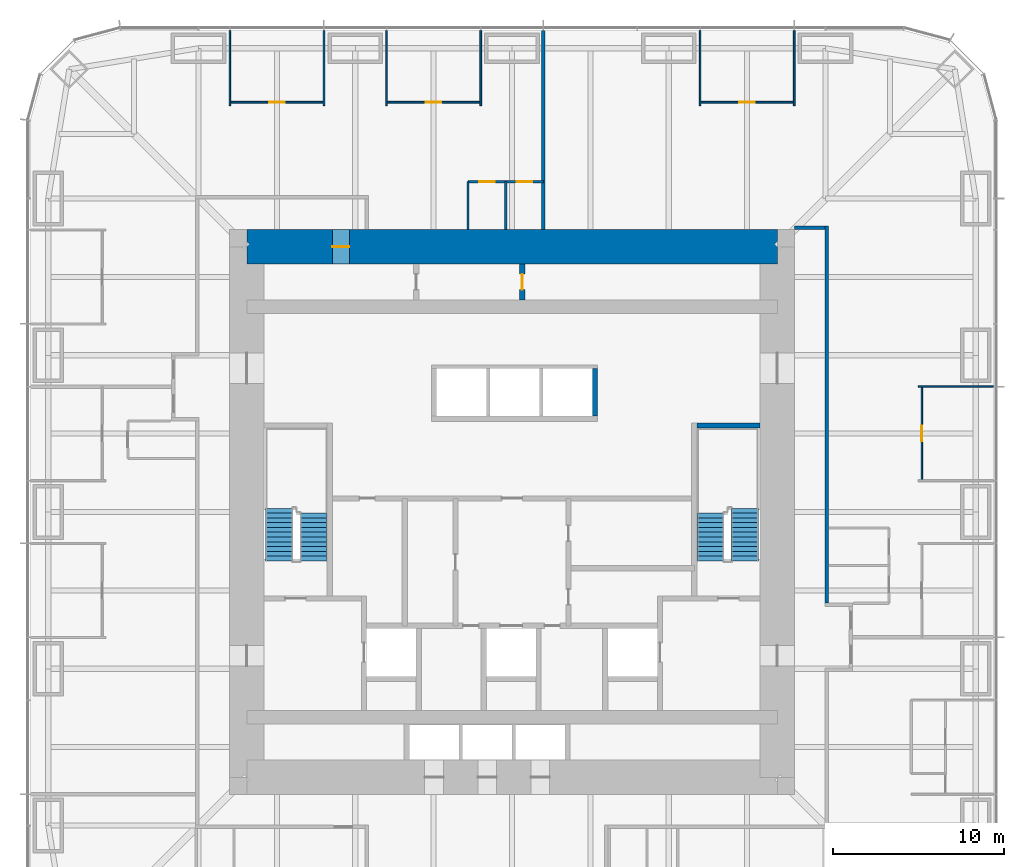
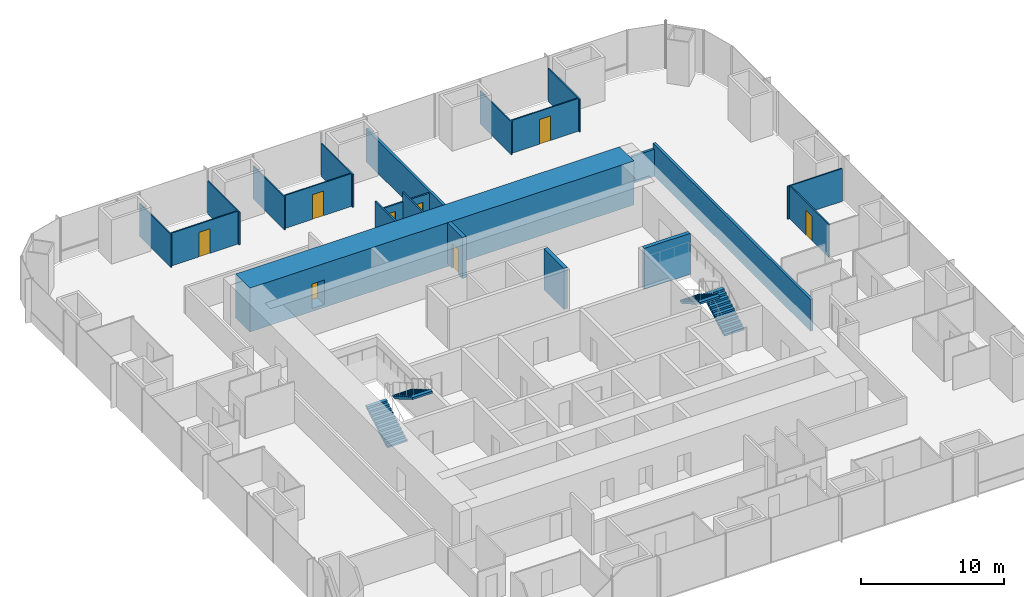
# One storey, part 10 of 11: 21 walls, 8 doors, 4 stair flights, 8 openings, 2 elements without a shape of their own.
"""IFC4 building model written with IfcOpenShell, lengths in metres."""

from ifc_helpers import new_model, si_unit, direction, frame, frame_2d, origin, place, context, subcontext, project, spatial, polyline, rectangle, outline, extrude, material, layer, layer_set, type_object, element, fill, aggregate, save


model = new_model("IFC4")

# Units and contexts
model_context = context("Model", 3, precision=1e-05, world=origin(), true_north=direction((0.0, 1.0)))
body_context = subcontext(model_context, "Body", "Model", "MODEL_VIEW")
ifc_project = project(units=[si_unit("LENGTHUNIT", "METRE"), si_unit("AREAUNIT", "SQUARE_METRE"), si_unit("VOLUMEUNIT", "CUBIC_METRE"), si_unit("PLANEANGLEUNIT", "RADIAN"), si_unit("MASSUNIT", "GRAM", prefix="KILO")], contexts=[model_context])

# Site, building, storey
site_placement = place(None, origin())
site = spatial("IfcSite", under=ifc_project, at=site_placement, CompositionType="ELEMENT")
building_placement = place(site_placement, origin())
building = spatial("IfcBuilding", under=site, at=building_placement, Name="Khuree Lantern Residences", CompositionType="ELEMENT")
storey_placement = place(building_placement, frame((0.0, 0.0, 174.75)))
storey = spatial("IfcBuildingStorey", under=building, at=storey_placement, Name="L44", CompositionType="ELEMENT", Elevation=174.75)

# Wall, openings, doors
ifc_material_1 = material(Name="Moisture-resistant gypsum board on steel studs", Category="steel")
ifc_layer_1 = layer(ifc_material_1, 0.125)
ifc_layer_set_1 = layer_set([ifc_layer_1], Name="BATHROOM WALL BTW125")
wall_type_1 = type_object("IfcWallType", Name="BATHROOM WALL BTW125", PredefinedType="PARTITIONING", material=ifc_layer_set_1)
wall_1_placement = place(storey_placement, frame((1.83203125, 19.300048828125, 0.0), z_axis=(0.0, 0.0, 1.0), x_axis=(-1.0, 0.0, 0.0)))
wall_1 = element("IfcWall", 1, at=wall_1_placement, inside=storey, type_object=wall_type_1, Name="L44 BATHROOM WALL 02", PredefinedType="PARTITIONING", context=body_context, shape_type="SweptSolid", body=[
    extrude(rectangle(XDim=4.400146484375, YDim=0.125, at=frame_2d((2.2001953125, 0.0))), origin(), (0.0, 0.0, 1.0), 2.699951171875),
])
opening_1_placement = place(wall_1_placement, frame((0.64990234375, 0.0, 0.0)))
opening_1 = element("IfcOpeningElement", 2, at=opening_1_placement, cuts=wall_1, Name="Opening 44-032", PredefinedType="OPENING", context=body_context, shape_type="SweptSolid", body=[
    extrude(rectangle(XDim=0.89990234375, YDim=2.10009765625, at=frame_2d((0.449951171875, 1.050048828125))), frame((0.0, 0.072509765625, 0.0), z_axis=(0.0, -1.0, 0.0), x_axis=(1.0, 0.0, 0.0)), (0.0, 0.0, 1.0), 0.14501953125),
])
opening_2_placement = place(wall_1_placement, frame((2.85009765625, 0.0, 0.0)))
opening_2 = element("IfcOpeningElement", 3, at=opening_2_placement, cuts=wall_1, Name="Opening 44-033", PredefinedType="OPENING", context=body_context, shape_type="SweptSolid", body=[
    extrude(rectangle(XDim=0.89990234375, YDim=2.10009765625, at=frame_2d((0.449951171875, 1.050048828125))), frame((0.0, 0.072509765625, 0.0), z_axis=(0.0, -1.0, 0.0), x_axis=(1.0, 0.0, 0.0)), (0.0, 0.0, 1.0), 0.14501953125),
])
ifc_material_2 = material(Name="Timber door leaf in hardwood frame", Category="wood")
door_type_1 = type_object("IfcDoorType", Name="BATHROOM DOOR 900X2100", OperationType="SINGLE_SWING_LEFT", PredefinedType="DOOR", material=ifc_material_2)
door_1_placement = place(opening_1_placement, origin())
door_1 = element("IfcDoor", 4, at=door_1_placement, inside=storey, type_object=door_type_1, Name="Bathroom door 44-032", OperationType="SINGLE_SWING_LEFT", OverallHeight=2.10009765625, OverallWidth=0.89990234375, PredefinedType="DOOR", context=body_context, shape_type="SweptSolid", body=[
    extrude(rectangle(XDim=0.89990234375, YDim=2.10009765625, at=frame_2d((0.449951171875, 1.050048828125))), frame((0.0, 0.02490234375, 0.0), z_axis=(0.0, -1.0, 0.0), x_axis=(1.0, 0.0, 0.0)), (0.0, 0.0, 1.0), 0.050048828125),
])
fill(opening_1, door_1)
door_2_placement = place(opening_2_placement, origin())
door_2 = element("IfcDoor", 5, at=door_2_placement, inside=storey, type_object=door_type_1, Name="Bathroom door 44-033", OperationType="SINGLE_SWING_LEFT", OverallHeight=2.10009765625, OverallWidth=0.89990234375, PredefinedType="DOOR", context=body_context, shape_type="SweptSolid", body=[
    extrude(rectangle(XDim=0.89990234375, YDim=2.10009765625, at=frame_2d((0.449951171875, 1.050048828125))), frame((0.0, 0.02490234375, 0.0), z_axis=(0.0, -1.0, 0.0), x_axis=(1.0, 0.0, 0.0)), (0.0, 0.0, 1.0), 0.050048828125),
])
fill(opening_2, door_2)

# Walls
for number, where, z_axis, x_axis, name in (
    (6, (-0.367919921875, 16.5, 0.0), (0.0, 0.0, 1.0), (0.0, 1.0, 0.0), "L44 BATHROOM WALL 02"),
    (7, (-2.568115234375, 16.5, 0.0), (0.0, 0.0, 1.0), (0.0, 1.0, 0.0), "L44 BATHROOM WALL 02"),
):
    element("IfcWall", number, at=place(storey_placement, frame(where, z_axis=z_axis, x_axis=x_axis)), inside=storey, type_object=wall_type_1, Name=name, PredefinedType="PARTITIONING", context=body_context, shape_type="SweptSolid", body=[
        extrude(rectangle(XDim=2.800048828125, YDim=0.125, at=frame_2d((1.39990234375, 0.0))), origin(), (0.0, 0.0, 1.0), 3.5),
    ])
ifc_material_3 = material(Name="Dense concrete blockwork", Category="masonry")
ifc_layer_2 = layer(ifc_material_3, 0.300048828125)
ifc_layer_set_2 = layer_set([ifc_layer_2], Name="CORE PARTITION WALL CPW300 EI 120")
wall_type_2 = type_object("IfcWallType", Name="CORE PARTITION WALL CPW300 EI 120", PredefinedType="PARTITIONING", material=ifc_layer_set_2)
wall_2_placement = place(storey_placement, frame((4.85009765625, 5.60009765625, 0.0), z_axis=(0.0, 0.0, 1.0), x_axis=(0.0, 1.0, 0.0)))
element("IfcWall", 8, at=wall_2_placement, inside=storey, type_object=wall_type_2, Name="L44 CORE WALL PHE", PredefinedType="PARTITIONING", context=body_context, shape_type="SweptSolid", body=[
    extrude(rectangle(XDim=2.7998046875, YDim=0.300048828125, at=frame_2d((1.39990234375, 0.0))), origin(), (0.0, 0.0, 1.0), 3.5),
])

# Wall, opening, door
wall_3_placement = place(storey_placement, frame((0.60009765625, 12.39990234375, 0.0), z_axis=(0.0, 0.0, 1.0), x_axis=(0.0, 1.0, 0.0)))
wall_3 = element("IfcWall", 9, at=wall_3_placement, inside=storey, type_object=wall_type_2, Name="L44 CORE WALL PLY", PredefinedType="PARTITIONING", context=body_context, shape_type="SweptSolid", body=[
    extrude(rectangle(XDim=2.10009765625, YDim=0.300048828125, at=frame_2d((1.050048828125, 0.0))), origin(), (0.0, 0.0, 1.0), 3.5),
])
opening_3_placement = place(wall_3_placement, frame((0.60009765625, 0.0, 0.0)))
opening_3 = element("IfcOpeningElement", 10, at=opening_3_placement, cuts=wall_3, Name="Opening 44-021", PredefinedType="OPENING", context=body_context, shape_type="SweptSolid", body=[
    extrude(rectangle(XDim=0.89990234375, YDim=2.10009765625, at=frame_2d((0.449951171875, 1.050048828125))), frame((0.0, 0.16015625, 0.0), z_axis=(0.0, -1.0, 0.0), x_axis=(1.0, 0.0, 0.0)), (0.0, 0.0, 1.0), 0.320068359375),
])
door_type_2 = type_object("IfcDoorType", Name="DOOR 900X2100", OperationType="SINGLE_SWING_LEFT", PredefinedType="DOOR", material=ifc_material_2)
door_3_placement = place(opening_3_placement, origin())
door_3 = element("IfcDoor", 11, at=door_3_placement, inside=storey, type_object=door_type_2, Name="Cleaner's store door 44-021", OperationType="SINGLE_SWING_LEFT", OverallHeight=2.10009765625, OverallWidth=0.89990234375, PredefinedType="DOOR", context=body_context, shape_type="SweptSolid", body=[
    extrude(rectangle(XDim=0.89990234375, YDim=2.10009765625, at=frame_2d((0.449951171875, 1.050048828125))), frame((0.0, 0.02490234375, 0.0), z_axis=(0.0, -1.0, 0.0), x_axis=(1.0, 0.0, 0.0)), (0.0, 0.0, 1.0), 0.050048828125),
])
fill(opening_3, door_3)

# Walls
ifc_material_4 = material(Name="Gypsum board on steel studs", Category="steel")
ifc_layer_3 = layer(ifc_material_4, 0.199951171875)
ifc_layer_set_3 = layer_set([ifc_layer_3], Name="CORRIDOR WALL CRW200 EI 60")
wall_type_3 = type_object("IfcWallType", Name="CORRIDOR WALL CRW200 EI 60", PredefinedType="PARTITIONING", material=ifc_layer_set_3)
wall_4_placement = place(storey_placement, frame((16.5, 16.60009765625, 0.0), z_axis=(0.0, 0.0, 1.0), x_axis=(1.0, 0.0, 0.0)))
element("IfcWall", 12, at=wall_4_placement, inside=storey, type_object=wall_type_3, Name="L44 EAST CORRIDOR NORTH END WALL", PredefinedType="PARTITIONING", context=body_context, shape_type="SweptSolid", body=[
    extrude(rectangle(XDim=1.800048828125, YDim=0.199951171875, at=frame_2d((0.89990234375, 0.0))), origin(), (0.0, 0.0, 1.0), 2.300048828125),
])
wall_5_placement = place(storey_placement, frame((18.39990234375, -5.327880859375, 0.0), z_axis=(0.0, 0.0, 1.0), x_axis=(0.0, 1.0, 0.0)))
element("IfcWall", 13, at=wall_5_placement, inside=storey, type_object=wall_type_3, Name="L44 CORRIDOR WALL EAST 2", PredefinedType="PARTITIONING", context=body_context, shape_type="SweptSolid", body=[
    extrude(rectangle(XDim=22.02783203125, YDim=0.199951171875, at=frame_2d((11.013916015625, 0.0))), origin(), (0.0, 0.0, 1.0), 2.699951171875),
])

# Wall, opening, door
ifc_material_5 = material(Name="Concrete C70/85", Category="concrete")
ifc_layer_4 = layer(ifc_material_5, 2.0)
ifc_layer_set_4 = layer_set([ifc_layer_4], Name="CW2000-C70 CORE WALL C70 2000")
wall_type_4 = type_object("IfcWallType", Name="CW2000-C70 CORE WALL C70 2000", PredefinedType="SHEAR", material=ifc_layer_set_4)
wall_6_placement = place(storey_placement, frame((-15.5, 15.5, -0.25), z_axis=(0.0, 0.0, 1.0), x_axis=(1.0, 0.0, 0.0)))
wall_6 = element("IfcWall", 14, at=wall_6_placement, inside=storey, type_object=wall_type_4, Name="Core wall N", PredefinedType="SHEAR", context=body_context, shape_type="SweptSolid", body=[
    extrude(rectangle(XDim=31.0, YDim=2.0, at=frame_2d((15.5, 0.0))), origin(), (0.0, 0.0, 1.0), 3.75),
])
opening_4_placement = place(wall_6_placement, frame((5.0, 0.0, 0.25)))
opening_4 = element("IfcOpeningElement", 15, at=opening_4_placement, cuts=wall_6, Name="Opening 44-022", PredefinedType="OPENING", context=body_context, shape_type="SweptSolid", body=[
    extrude(rectangle(XDim=1.0, YDim=2.10009765625, at=frame_2d((0.5, 1.050048828125))), frame((0.0, 1.010009765625, 0.0), z_axis=(0.0, -1.0, 0.0), x_axis=(1.0, 0.0, 0.0)), (0.0, 0.0, 1.0), 2.02001953125),
])
ifc_material_6 = material(Name="Steel door leaf in steel frame", Category="steel")
door_type_3 = type_object("IfcDoorType", Name="DOOR 1000X2100 EI 60 RIGHT HAND", OperationType="SINGLE_SWING_RIGHT", PredefinedType="DOOR", material=ifc_material_6)
door_4_placement = place(opening_4_placement, origin())
door_4 = element("IfcDoor", 16, at=door_4_placement, inside=storey, type_object=door_type_3, Name="Residents' store door 44-022", OperationType="SINGLE_SWING_RIGHT", OverallHeight=2.10009765625, OverallWidth=1.0, PredefinedType="DOOR", context=body_context, shape_type="SweptSolid", body=[
    extrude(rectangle(XDim=1.0, YDim=2.10009765625, at=frame_2d((0.5, 1.050048828125))), frame((0.0, 0.02490234375, 0.0), z_axis=(0.0, -1.0, 0.0), x_axis=(1.0, 0.0, 0.0)), (0.0, 0.0, 1.0), 0.050048828125),
])
fill(opening_4, door_4)

# Walls
ifc_layer_5 = layer(ifc_material_4, 0.199951171875)
ifc_layer_set_5 = layer_set([ifc_layer_5], Name="DEMISING WALL DMW200 EI 90")
wall_type_5 = type_object("IfcWallType", Name="DEMISING WALL DMW200 EI 90", PredefinedType="PARTITIONING", material=ifc_layer_set_5)
wall_7_placement = place(storey_placement, frame((1.83203125, 16.5, 0.0), z_axis=(0.0, 0.0, 1.0), x_axis=(0.0, 1.0, 0.0)))
element("IfcWall", 17, at=wall_7_placement, inside=storey, type_object=wall_type_5, Name="L44 DEMISING WALL 02", PredefinedType="PARTITIONING", context=body_context, shape_type="SweptSolid", body=[
    extrude(rectangle(XDim=11.64990234375, YDim=0.199951171875, at=frame_2d((5.824951171875, 0.0))), origin(), (0.0, 0.0, 1.0), 2.81005859375),
])
ifc_layer_6 = layer(ifc_material_4, 0.10009765625)
ifc_layer_set_6 = layer_set([ifc_layer_6], Name="PARTITION PT100")
wall_type_6 = type_object("IfcWallType", Name="PARTITION PT100", PredefinedType="PARTITIONING", material=ifc_layer_set_6)
for number, where, z_axis, x_axis, name in (
    (18, (23.75, 7.327880859375, 0.0), (0.0, 0.0, 1.0), (1.0, 0.0, 0.0), "L44 PARTITION 01"),
    (19, (16.488037109375, 23.75, 0.0), (0.0, 0.0, 1.0), (0.0, 1.0, 0.0), "L44 PARTITION 01"),
    (20, (10.991943359375, 23.75, 0.0), (0.0, 0.0, 1.0), (0.0, 1.0, 0.0), "L44 PARTITION 01"),
    (21, (-1.83203125, 23.75, 0.0), (0.0, 0.0, 1.0), (0.0, 1.0, 0.0), "L44 PARTITION 02"),
    (22, (-7.327880859375, 23.75, 0.0), (0.0, 0.0, 1.0), (0.0, 1.0, 0.0), "L44 PARTITION 02"),
    (23, (-10.991943359375, 23.75, 0.0), (0.0, 0.0, 1.0), (0.0, 1.0, 0.0), "L44 PARTITION 02"),
    (24, (-16.488037109375, 23.75, 0.0), (0.0, 0.0, 1.0), (0.0, 1.0, 0.0), "L44 PARTITION 02"),
):
    element("IfcWall", number, at=place(storey_placement, frame(where, z_axis=z_axis, x_axis=x_axis)), inside=storey, type_object=wall_type_6, Name=name, PredefinedType="PARTITIONING", context=body_context, shape_type="SweptSolid", body=[
        extrude(rectangle(XDim=4.39990234375, YDim=0.10009765625, at=frame_2d((2.199951171875, 0.0))), origin(), (0.0, 0.0, 1.0), 2.81005859375),
    ])

# Wall, opening, door
wall_8_placement = place(storey_placement, frame((23.949951171875, 1.83203125, 0.0), z_axis=(0.0, 0.0, 1.0), x_axis=(0.0, 1.0, 0.0)))
wall_8 = element("IfcWall", 25, at=wall_8_placement, inside=storey, type_object=wall_type_6, Name="L44 PARTITION 01", PredefinedType="PARTITIONING", context=body_context, shape_type="SweptSolid", body=[
    extrude(rectangle(XDim=5.495849609375, YDim=0.10009765625, at=frame_2d((2.748046875, 0.0))), origin(), (0.0, 0.0, 1.0), 2.81005859375),
])
opening_5_placement = place(wall_8_placement, frame((2.298095703125, 0.0, 0.0)))
opening_5 = element("IfcOpeningElement", 26, at=opening_5_placement, cuts=wall_8, Name="Opening 44-024", PredefinedType="OPENING", context=body_context, shape_type="SweptSolid", body=[
    extrude(rectangle(XDim=0.89990234375, YDim=2.10009765625, at=frame_2d((0.449951171875, 1.050048828125))), frame((0.0, 0.06005859375, 0.0), z_axis=(0.0, -1.0, 0.0), x_axis=(1.0, 0.0, 0.0)), (0.0, 0.0, 1.0), 0.1201171875),
])
door_type_4 = type_object("IfcDoorType", Name="BEDROOM DOOR 900X2100", OperationType="SINGLE_SWING_LEFT", PredefinedType="DOOR", material=ifc_material_2)
door_5_placement = place(opening_5_placement, origin())
door_5 = element("IfcDoor", 27, at=door_5_placement, inside=storey, type_object=door_type_4, Name="Bedroom door 44-024", OperationType="SINGLE_SWING_LEFT", OverallHeight=2.10009765625, OverallWidth=0.89990234375, PredefinedType="DOOR", context=body_context, shape_type="SweptSolid", body=[
    extrude(rectangle(XDim=0.89990234375, YDim=2.10009765625, at=frame_2d((0.449951171875, 1.050048828125))), frame((0.0, 0.02490234375, 0.0), z_axis=(0.0, -1.0, 0.0), x_axis=(1.0, 0.0, 0.0)), (0.0, 0.0, 1.0), 0.050048828125),
])
fill(opening_5, door_5)

wall_9_placement = place(storey_placement, frame((16.488037109375, 23.949951171875, 0.0), z_axis=(0.0, 0.0, 1.0), x_axis=(-1.0, 0.0, 0.0)))
wall_9 = element("IfcWall", 28, at=wall_9_placement, inside=storey, type_object=wall_type_6, Name="L44 PARTITION 01", PredefinedType="PARTITIONING", context=body_context, shape_type="SweptSolid", body=[
    extrude(rectangle(XDim=5.49609375, YDim=0.10009765625, at=frame_2d((2.748046875, 0.0))), origin(), (0.0, 0.0, 1.0), 2.81005859375),
])
opening_6_placement = place(wall_9_placement, frame((2.298095703125, 0.0, 0.0)))
opening_6 = element("IfcOpeningElement", 29, at=opening_6_placement, cuts=wall_9, Name="Opening 44-025", PredefinedType="OPENING", context=body_context, shape_type="SweptSolid", body=[
    extrude(rectangle(XDim=0.89990234375, YDim=2.10009765625, at=frame_2d((0.449951171875, 1.050048828125))), frame((0.0, 0.06005859375, 0.0), z_axis=(0.0, -1.0, 0.0), x_axis=(1.0, 0.0, 0.0)), (0.0, 0.0, 1.0), 0.1201171875),
])
door_6_placement = place(opening_6_placement, origin())
door_6 = element("IfcDoor", 30, at=door_6_placement, inside=storey, type_object=door_type_4, Name="Bedroom door 44-025", OperationType="SINGLE_SWING_LEFT", OverallHeight=2.10009765625, OverallWidth=0.89990234375, PredefinedType="DOOR", context=body_context, shape_type="SweptSolid", body=[
    extrude(rectangle(XDim=0.89990234375, YDim=2.10009765625, at=frame_2d((0.449951171875, 1.050048828125))), frame((0.0, 0.02490234375, 0.0), z_axis=(0.0, -1.0, 0.0), x_axis=(1.0, 0.0, 0.0)), (0.0, 0.0, 1.0), 0.050048828125),
])
fill(opening_6, door_6)

wall_10_placement = place(storey_placement, frame((-1.83203125, 23.949951171875, 0.0), z_axis=(0.0, 0.0, 1.0), x_axis=(-1.0, 0.0, 0.0)))
wall_10 = element("IfcWall", 31, at=wall_10_placement, inside=storey, type_object=wall_type_6, Name="L44 PARTITION 02", PredefinedType="PARTITIONING", context=body_context, shape_type="SweptSolid", body=[
    extrude(rectangle(XDim=5.495849609375, YDim=0.10009765625, at=frame_2d((2.748046875, 0.0))), origin(), (0.0, 0.0, 1.0), 2.81005859375),
])
opening_7_placement = place(wall_10_placement, frame((2.298095703125, 0.0, 0.0)))
opening_7 = element("IfcOpeningElement", 32, at=opening_7_placement, cuts=wall_10, Name="Opening 44-029", PredefinedType="OPENING", context=body_context, shape_type="SweptSolid", body=[
    extrude(rectangle(XDim=0.89990234375, YDim=2.10009765625, at=frame_2d((0.449951171875, 1.050048828125))), frame((0.0, 0.06005859375, 0.0), z_axis=(0.0, -1.0, 0.0), x_axis=(1.0, 0.0, 0.0)), (0.0, 0.0, 1.0), 0.1201171875),
])
door_7_placement = place(opening_7_placement, origin())
door_7 = element("IfcDoor", 33, at=door_7_placement, inside=storey, type_object=door_type_4, Name="Bedroom door 44-029", OperationType="SINGLE_SWING_LEFT", OverallHeight=2.10009765625, OverallWidth=0.89990234375, PredefinedType="DOOR", context=body_context, shape_type="SweptSolid", body=[
    extrude(rectangle(XDim=0.89990234375, YDim=2.10009765625, at=frame_2d((0.449951171875, 1.050048828125))), frame((0.0, 0.02490234375, 0.0), z_axis=(0.0, -1.0, 0.0), x_axis=(1.0, 0.0, 0.0)), (0.0, 0.0, 1.0), 0.050048828125),
])
fill(opening_7, door_7)

wall_11_placement = place(storey_placement, frame((-10.991943359375, 23.949951171875, 0.0), z_axis=(0.0, 0.0, 1.0), x_axis=(-1.0, 0.0, 0.0)))
wall_11 = element("IfcWall", 34, at=wall_11_placement, inside=storey, type_object=wall_type_6, Name="L44 PARTITION 02", PredefinedType="PARTITIONING", context=body_context, shape_type="SweptSolid", body=[
    extrude(rectangle(XDim=5.49609375, YDim=0.10009765625, at=frame_2d((2.748046875, 0.0))), origin(), (0.0, 0.0, 1.0), 2.81005859375),
])
opening_8_placement = place(wall_11_placement, frame((2.298095703125, 0.0, 0.0)))
opening_8 = element("IfcOpeningElement", 35, at=opening_8_placement, cuts=wall_11, Name="Opening 44-030", PredefinedType="OPENING", context=body_context, shape_type="SweptSolid", body=[
    extrude(rectangle(XDim=0.89990234375, YDim=2.10009765625, at=frame_2d((0.449951171875, 1.050048828125))), frame((0.0, 0.06005859375, 0.0), z_axis=(0.0, -1.0, 0.0), x_axis=(1.0, 0.0, 0.0)), (0.0, 0.0, 1.0), 0.1201171875),
])
door_8_placement = place(opening_8_placement, origin())
door_8 = element("IfcDoor", 36, at=door_8_placement, inside=storey, type_object=door_type_4, Name="Bedroom door 44-030", OperationType="SINGLE_SWING_LEFT", OverallHeight=2.10009765625, OverallWidth=0.89990234375, PredefinedType="DOOR", context=body_context, shape_type="SweptSolid", body=[
    extrude(rectangle(XDim=0.89990234375, YDim=2.10009765625, at=frame_2d((0.449951171875, 1.050048828125))), frame((0.0, 0.02490234375, 0.0), z_axis=(0.0, -1.0, 0.0), x_axis=(1.0, 0.0, 0.0)), (0.0, 0.0, 1.0), 0.050048828125),
])
fill(opening_8, door_8)

# Wall
ifc_material_7 = material(Name="Concrete C50/60", Category="concrete")
ifc_layer_7 = layer(ifc_material_7, 0.300048828125)
ifc_layer_set_7 = layer_set([ifc_layer_7], Name="STAIR WALL SRW300 C50/60 REI 240")
wall_type_7 = type_object("IfcWallType", Name="STAIR WALL SRW300 C50/60 REI 240", PredefinedType="SOLIDWALL", material=ifc_layer_set_7)
wall_12_placement = place(storey_placement, frame((14.5, 5.050048828125, 0.0), z_axis=(0.0, 0.0, 1.0), x_axis=(-1.0, 0.0, 0.0)))
element("IfcWall", 37, at=wall_12_placement, inside=storey, type_object=wall_type_7, Name="L44 STAIR WALL ST2N", PredefinedType="SOLIDWALL", context=body_context, shape_type="SweptSolid", body=[
    extrude(rectangle(XDim=3.699951171875, YDim=0.300048828125, at=frame_2d((1.85009765625, 0.0))), origin(), (0.0, 0.0, 1.0), 3.5),
])

# Stair, stair flights
ifc_material_8 = material(Name="Concrete C40/50", Category="concrete")
stair_type = type_object("IfcStairType", Name="STAIR ST1 HALF TURN 3600", PredefinedType="HALF_TURN_STAIR", material=ifc_material_8)
stair_1_placement = place(storey_placement, origin())
stair_1 = element("IfcStair", 38, at=stair_1_placement, inside=storey, type_object=stair_type, Name="Stair ST1", PredefinedType="HALF_TURN_STAIR")
stair_flight_type = type_object("IfcStairFlightType", Name="STAIR FLIGHT SF1 1600", PredefinedType="STRAIGHT", material=ifc_material_8)
stair_flight_1_placement = place(storey_placement, frame((-13.60009765625, -2.860107421875, 0.0), z_axis=(0.0, 0.0, 1.0), x_axis=(0.0, 1.0, 0.0)))
stair_flight_1 = element("IfcStairFlight", 39, at=stair_flight_1_placement, type_object=stair_flight_type, Name="ST1 flight 1", NumberOfRisers=12, NumberOfTreads=11, PredefinedType="STRAIGHT", RiserHeight=0.163043478, TreadLength=0.28, context=body_context, shape_type="SweptSolid", body=[
    extrude(outline(polyline([(0.0, 0.0), (0.0, 0.1630859375), (0.280029296875, 0.1630859375), (0.280029296875, 0.326171875), (0.56005859375, 0.326171875), (0.56005859375, 0.489013671875), (0.840087890625, 0.489013671875), (0.840087890625, 0.652099609375), (1.1201171875, 0.652099609375), (1.1201171875, 0.815185546875), (1.39990234375, 0.815185546875), (1.39990234375, 0.978271484375), (1.679931640625, 0.978271484375), (1.679931640625, 1.141357421875), (1.9599609375, 1.141357421875), (1.9599609375, 1.304443359375), (2.239990234375, 1.304443359375), (2.239990234375, 1.46728515625), (2.52001953125, 1.46728515625), (2.52001953125, 1.63037109375), (2.800048828125, 1.63037109375), (2.800048828125, 1.79345703125), (3.080078125, 1.79345703125), (3.080078125, 1.95654296875), (3.080078125, 1.6201171875), (0.2978515625, 0.0), (0.0, 0.0)])), frame((0.0, 0.800048828125, 0.0), z_axis=(0.0, -1.0, 0.0), x_axis=(1.0, 0.0, 0.0)), (0.0, 0.0, 1.0), 1.60009765625),
])
stair_flight_2_placement = place(storey_placement, frame((-11.60009765625, -0.06005859375, 1.95654296875), z_axis=(0.0, 0.0, 1.0), x_axis=(0.0, -1.0, 0.0)))
stair_flight_2 = element("IfcStairFlight", 40, at=stair_flight_2_placement, type_object=stair_flight_type, Name="ST1 flight 2", NumberOfRisers=11, NumberOfTreads=10, PredefinedType="STRAIGHT", RiserHeight=0.163043478, TreadLength=0.28, context=body_context, shape_type="SweptSolid", body=[
    extrude(outline(polyline([(0.0, 0.0), (0.0, 0.1630859375), (0.280029296875, 0.1630859375), (0.280029296875, 0.326171875), (0.56005859375, 0.326171875), (0.56005859375, 0.489013671875), (0.840087890625, 0.489013671875), (0.840087890625, 0.652099609375), (1.1201171875, 0.652099609375), (1.1201171875, 0.815185546875), (1.39990234375, 0.815185546875), (1.39990234375, 0.978271484375), (1.679931640625, 0.978271484375), (1.679931640625, 1.141357421875), (1.9599609375, 1.141357421875), (1.9599609375, 1.304443359375), (2.239990234375, 1.304443359375), (2.239990234375, 1.46728515625), (2.52001953125, 1.46728515625), (2.52001953125, 1.63037109375), (2.800048828125, 1.63037109375), (2.800048828125, 1.79345703125), (2.800048828125, 1.45703125), (0.2978515625, 0.0), (0.0, 0.0)])), frame((0.0, 0.800048828125, 0.0), z_axis=(0.0, -1.0, 0.0), x_axis=(1.0, 0.0, 0.0)), (0.0, 0.0, 1.0), 1.60009765625),
])
aggregate(stair_1, [stair_flight_1, stair_flight_2])

stair_2_placement = place(storey_placement, origin())
stair_2 = element("IfcStair", 41, at=stair_2_placement, inside=storey, type_object=stair_type, Name="Stair ST2", PredefinedType="HALF_TURN_STAIR")
stair_flight_3_placement = place(storey_placement, frame((13.60009765625, -2.860107421875, 0.0), z_axis=(0.0, 0.0, 1.0), x_axis=(0.0, 1.0, 0.0)))
stair_flight_3 = element("IfcStairFlight", 42, at=stair_flight_3_placement, type_object=stair_flight_type, Name="ST2 flight 1", NumberOfRisers=12, NumberOfTreads=11, PredefinedType="STRAIGHT", RiserHeight=0.163043478, TreadLength=0.28, context=body_context, shape_type="SweptSolid", body=[
    extrude(outline(polyline([(0.0, 0.0), (0.0, 0.1630859375), (0.280029296875, 0.1630859375), (0.280029296875, 0.326171875), (0.56005859375, 0.326171875), (0.56005859375, 0.489013671875), (0.840087890625, 0.489013671875), (0.840087890625, 0.652099609375), (1.1201171875, 0.652099609375), (1.1201171875, 0.815185546875), (1.39990234375, 0.815185546875), (1.39990234375, 0.978271484375), (1.679931640625, 0.978271484375), (1.679931640625, 1.141357421875), (1.9599609375, 1.141357421875), (1.9599609375, 1.304443359375), (2.239990234375, 1.304443359375), (2.239990234375, 1.46728515625), (2.52001953125, 1.46728515625), (2.52001953125, 1.63037109375), (2.800048828125, 1.63037109375), (2.800048828125, 1.79345703125), (3.080078125, 1.79345703125), (3.080078125, 1.95654296875), (3.080078125, 1.6201171875), (0.2978515625, 0.0), (0.0, 0.0)])), frame((0.0, 0.800048828125, 0.0), z_axis=(0.0, -1.0, 0.0), x_axis=(1.0, 0.0, 0.0)), (0.0, 0.0, 1.0), 1.60009765625),
])
stair_flight_4_placement = place(storey_placement, frame((11.60009765625, -0.06005859375, 1.95654296875), z_axis=(0.0, 0.0, 1.0), x_axis=(0.0, -1.0, 0.0)))
stair_flight_4 = element("IfcStairFlight", 43, at=stair_flight_4_placement, type_object=stair_flight_type, Name="ST2 flight 2", NumberOfRisers=11, NumberOfTreads=10, PredefinedType="STRAIGHT", RiserHeight=0.163043478, TreadLength=0.28, context=body_context, shape_type="SweptSolid", body=[
    extrude(outline(polyline([(0.0, 0.0), (0.0, 0.1630859375), (0.280029296875, 0.1630859375), (0.280029296875, 0.326171875), (0.56005859375, 0.326171875), (0.56005859375, 0.489013671875), (0.840087890625, 0.489013671875), (0.840087890625, 0.652099609375), (1.1201171875, 0.652099609375), (1.1201171875, 0.815185546875), (1.39990234375, 0.815185546875), (1.39990234375, 0.978271484375), (1.679931640625, 0.978271484375), (1.679931640625, 1.141357421875), (1.9599609375, 1.141357421875), (1.9599609375, 1.304443359375), (2.239990234375, 1.304443359375), (2.239990234375, 1.46728515625), (2.52001953125, 1.46728515625), (2.52001953125, 1.63037109375), (2.800048828125, 1.63037109375), (2.800048828125, 1.79345703125), (2.800048828125, 1.45703125), (0.2978515625, 0.0), (0.0, 0.0)])), frame((0.0, 0.800048828125, 0.0), z_axis=(0.0, -1.0, 0.0), x_axis=(1.0, 0.0, 0.0)), (0.0, 0.0, 1.0), 1.60009765625),
])
aggregate(stair_2, [stair_flight_3, stair_flight_4])

save(model, "model.ifc")
